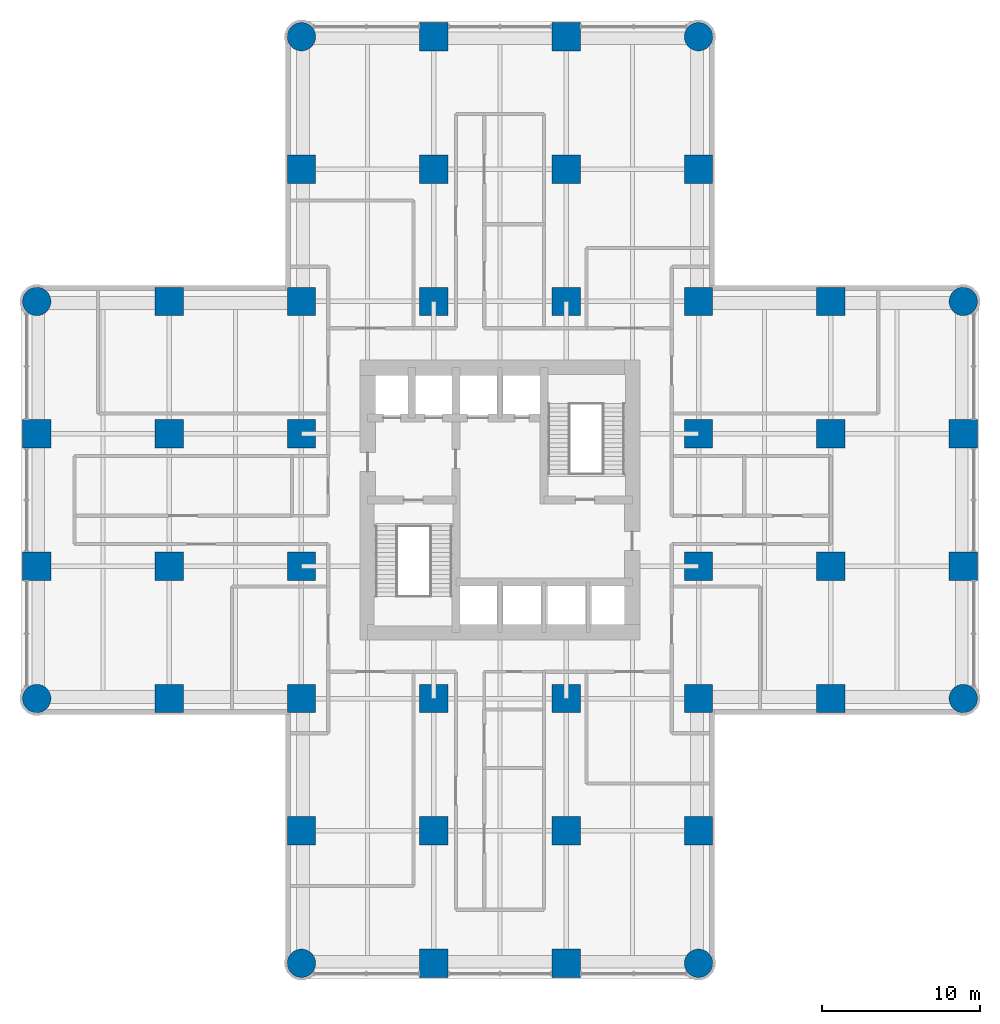
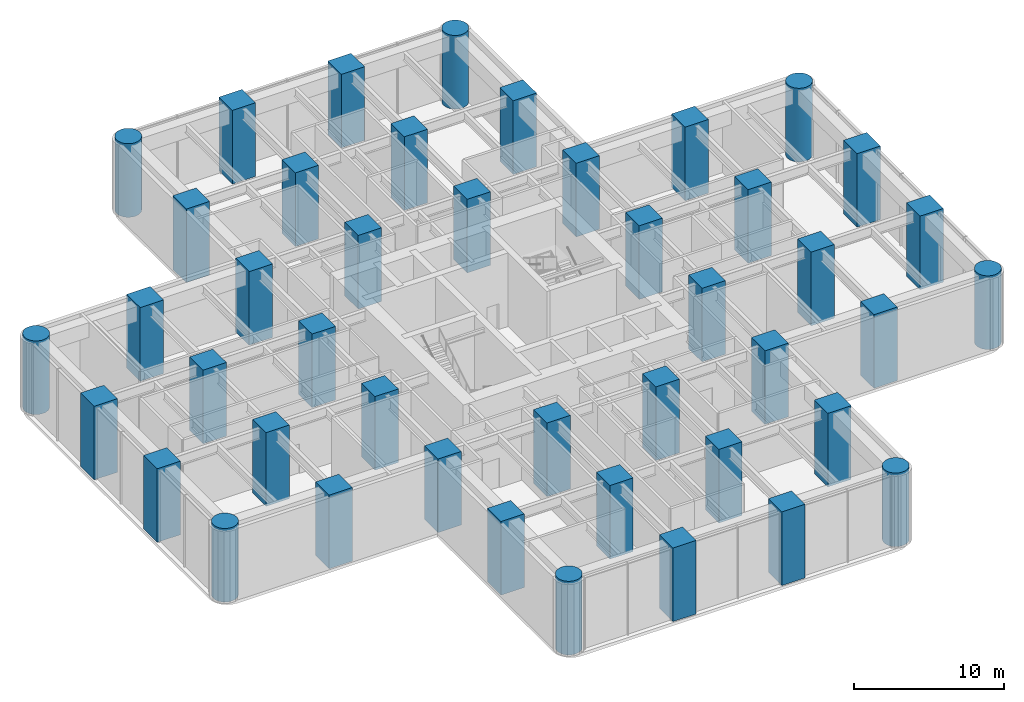
# One storey, part 1 of 11: 44 columns.
"""IFC4 building model written with IfcOpenShell, lengths in metres."""

from ifc_helpers import new_model, si_unit, direction, frame, origin, origin_2d, place, context, subcontext, project, spatial, rectangle, circle, extrude, material, material_profile, profile_set, type_object, element, save


model = new_model("IFC4")

# Units and contexts
model_context = context("Model", 3, precision=1e-05, world=origin(), true_north=direction((0.0, 1.0)))
body_context = subcontext(model_context, "Body", "Model", "MODEL_VIEW")
ifc_project = project(units=[si_unit("LENGTHUNIT", "METRE"), si_unit("AREAUNIT", "SQUARE_METRE"), si_unit("VOLUMEUNIT", "CUBIC_METRE"), si_unit("PLANEANGLEUNIT", "RADIAN"), si_unit("MASSUNIT", "GRAM", prefix="KILO")], contexts=[model_context])

# Site, building, storey
site_placement = place(None, origin())
site = spatial("IfcSite", under=ifc_project, at=site_placement, CompositionType="ELEMENT")
building_placement = place(site_placement, origin())
building = spatial("IfcBuilding", under=site, at=building_placement, Name="Torre Alcanfor", CompositionType="ELEMENT")
storey_placement = place(building_placement, frame((0.0, 0.0, 28.5)))
storey = spatial("IfcBuildingStorey", under=building, at=storey_placement, Name="L06", CompositionType="ELEMENT", Elevation=28.5)

# Columns
ifc_material_1 = material(Name="Concrete f'c 70 MPa", Category="concrete")
ifc_material_profile_1 = material_profile(ifc_material_1, rectangle(XDim=1.800048828125, YDim=1.800048828125, at=origin_2d()), Name="1800x1800")
ifc_profile_set_1 = profile_set([ifc_material_profile_1], Name="Concrete f'c 70 MPa")
column_type_1 = type_object("IfcColumnType", Name="RC column 1800x1800 f'c70", PredefinedType="COLUMN", material=ifc_profile_set_1)
for number, where, z_axis, x_axis, name in (
    (1, (0.0, 25.199951171875, 0.0), (0.0, 0.0, 1.0), (1.0, 0.0, 0.0), "Column 1/F L06"),
    (2, (0.0, 33.60009765625, 0.0), (0.0, 0.0, 1.0), (1.0, 0.0, 0.0), "Column 1/G L06"),
    (3, (8.39990234375, 16.800048828125, 0.0), (0.0, 0.0, 1.0), (1.0, 0.0, 0.0), "Column 2/E L06"),
    (4, (8.39990234375, 25.199951171875, 0.0), (0.0, 0.0, 1.0), (1.0, 0.0, 0.0), "Column 2/F L06"),
    (5, (8.39990234375, 33.60009765625, 0.0), (0.0, 0.0, 1.0), (1.0, 0.0, 0.0), "Column 2/G L06"),
    (6, (8.39990234375, 42.0, 0.0), (0.0, 0.0, 1.0), (1.0, 0.0, 0.0), "Column 2/H L06"),
    (7, (16.800048828125, 8.39990234375, 0.0), (0.0, 0.0, 1.0), (1.0, 0.0, 0.0), "Column 3/D L06"),
    (8, (16.800048828125, 16.800048828125, 0.0), (0.0, 0.0, 1.0), (1.0, 0.0, 0.0), "Column 3/E L06"),
    (9, (16.800048828125, 25.199951171875, 0.0), (0.0, 0.0, 1.0), (1.0, 0.0, 0.0), "Column 3/F L06"),
    (10, (16.800048828125, 33.60009765625, 0.0), (0.0, 0.0, 1.0), (1.0, 0.0, 0.0), "Column 3/G L06"),
    (11, (16.800048828125, 42.0, 0.0), (0.0, 0.0, 1.0), (1.0, 0.0, 0.0), "Column 3/H L06"),
    (12, (16.800048828125, 50.39990234375, 0.0), (0.0, 0.0, 1.0), (1.0, 0.0, 0.0), "Column 3/J L06"),
    (13, (25.199951171875, 0.0, 0.0), (0.0, 0.0, 1.0), (1.0, 0.0, 0.0), "Column 4/C L06"),
    (14, (25.199951171875, 8.39990234375, 0.0), (0.0, 0.0, 1.0), (1.0, 0.0, 0.0), "Column 4/D L06"),
    (15, (25.199951171875, 16.800048828125, 0.0), (0.0, 0.0, 1.0), (1.0, 0.0, 0.0), "Column 4/E L06"),
    (16, (25.199951171875, 42.0, 0.0), (0.0, 0.0, 1.0), (1.0, 0.0, 0.0), "Column 4/H L06"),
    (17, (25.199951171875, 50.39990234375, 0.0), (0.0, 0.0, 1.0), (1.0, 0.0, 0.0), "Column 4/J L06"),
    (18, (25.199951171875, 58.800048828125, 0.0), (0.0, 0.0, 1.0), (1.0, 0.0, 0.0), "Column 4/K L06"),
    (19, (33.60009765625, 0.0, 0.0), (0.0, 0.0, 1.0), (1.0, 0.0, 0.0), "Column 5/C L06"),
    (20, (33.60009765625, 8.39990234375, 0.0), (0.0, 0.0, 1.0), (1.0, 0.0, 0.0), "Column 5/D L06"),
    (21, (33.60009765625, 16.800048828125, 0.0), (0.0, 0.0, 1.0), (1.0, 0.0, 0.0), "Column 5/E L06"),
    (22, (33.60009765625, 42.0, 0.0), (0.0, 0.0, 1.0), (1.0, 0.0, 0.0), "Column 5/H L06"),
    (23, (33.60009765625, 50.39990234375, 0.0), (0.0, 0.0, 1.0), (1.0, 0.0, 0.0), "Column 5/J L06"),
    (24, (33.60009765625, 58.800048828125, 0.0), (0.0, 0.0, 1.0), (1.0, 0.0, 0.0), "Column 5/K L06"),
    (25, (42.0, 8.39990234375, 0.0), (0.0, 0.0, 1.0), (1.0, 0.0, 0.0), "Column 6/D L06"),
    (26, (42.0, 16.800048828125, 0.0), (0.0, 0.0, 1.0), (1.0, 0.0, 0.0), "Column 6/E L06"),
    (27, (42.0, 25.199951171875, 0.0), (0.0, 0.0, 1.0), (1.0, 0.0, 0.0), "Column 6/F L06"),
    (28, (42.0, 33.60009765625, 0.0), (0.0, 0.0, 1.0), (1.0, 0.0, 0.0), "Column 6/G L06"),
    (29, (42.0, 42.0, 0.0), (0.0, 0.0, 1.0), (1.0, 0.0, 0.0), "Column 6/H L06"),
    (30, (42.0, 50.39990234375, 0.0), (0.0, 0.0, 1.0), (1.0, 0.0, 0.0), "Column 6/J L06"),
    (31, (50.39990234375, 16.800048828125, 0.0), (0.0, 0.0, 1.0), (1.0, 0.0, 0.0), "Column 7/E L06"),
    (32, (50.39990234375, 25.199951171875, 0.0), (0.0, 0.0, 1.0), (1.0, 0.0, 0.0), "Column 7/F L06"),
    (33, (50.39990234375, 33.60009765625, 0.0), (0.0, 0.0, 1.0), (1.0, 0.0, 0.0), "Column 7/G L06"),
    (34, (50.39990234375, 42.0, 0.0), (0.0, 0.0, 1.0), (1.0, 0.0, 0.0), "Column 7/H L06"),
    (35, (58.800048828125, 25.199951171875, 0.0), (0.0, 0.0, 1.0), (1.0, 0.0, 0.0), "Column 8/F L06"),
    (36, (58.800048828125, 33.60009765625, 0.0), (0.0, 0.0, 1.0), (1.0, 0.0, 0.0), "Column 8/G L06"),
):
    element("IfcColumn", number, at=place(storey_placement, frame(where, z_axis=z_axis, x_axis=x_axis)), inside=storey, type_object=column_type_1, Name=name, PredefinedType="COLUMN", context=body_context, shape_type="SweptSolid", body=[
        extrude(rectangle(XDim=1.800048828125, YDim=1.800048828125, at=origin_2d()), origin(), (0.0, 0.0, 1.0), 6.0),
    ])
ifc_material_2 = material(Name="Concrete f'c 70 MPa", Category="concrete")
ifc_material_profile_2 = material_profile(ifc_material_2, circle(Radius=0.89990234375, at=origin_2d()), Name="D1800")
ifc_profile_set_2 = profile_set([ifc_material_profile_2], Name="Concrete f'c 70 MPa")
column_type_2 = type_object("IfcColumnType", Name="RC column D1800 f'c70", PredefinedType="COLUMN", material=ifc_profile_set_2)
for number, where, z_axis, x_axis, name in (
    (37, (0.0, 16.800048828125, 0.0), (0.0, 0.0, 1.0), (1.0, 0.0, 0.0), "Column 1/E L06"),
    (38, (0.0, 42.0, 0.0), (0.0, 0.0, 1.0), (1.0, 0.0, 0.0), "Column 1/H L06"),
    (39, (16.800048828125, 0.0, 0.0), (0.0, 0.0, 1.0), (1.0, 0.0, 0.0), "Column 3/C L06"),
    (40, (16.800048828125, 58.800048828125, 0.0), (0.0, 0.0, 1.0), (1.0, 0.0, 0.0), "Column 3/K L06"),
    (41, (42.0, 0.0, 0.0), (0.0, 0.0, 1.0), (1.0, 0.0, 0.0), "Column 6/C L06"),
    (42, (42.0, 58.800048828125, 0.0), (0.0, 0.0, 1.0), (1.0, 0.0, 0.0), "Column 6/K L06"),
    (43, (58.800048828125, 16.800048828125, 0.0), (0.0, 0.0, 1.0), (1.0, 0.0, 0.0), "Column 8/E L06"),
    (44, (58.800048828125, 42.0, 0.0), (0.0, 0.0, 1.0), (1.0, 0.0, 0.0), "Column 8/H L06"),
):
    element("IfcColumn", number, at=place(storey_placement, frame(where, z_axis=z_axis, x_axis=x_axis)), inside=storey, type_object=column_type_2, Name=name, PredefinedType="COLUMN", context=body_context, shape_type="SweptSolid", body=[
        extrude(circle(Radius=0.89990234375, at=origin_2d()), origin(), (0.0, 0.0, 1.0), 6.0),
    ])

save(model, "model.ifc")
